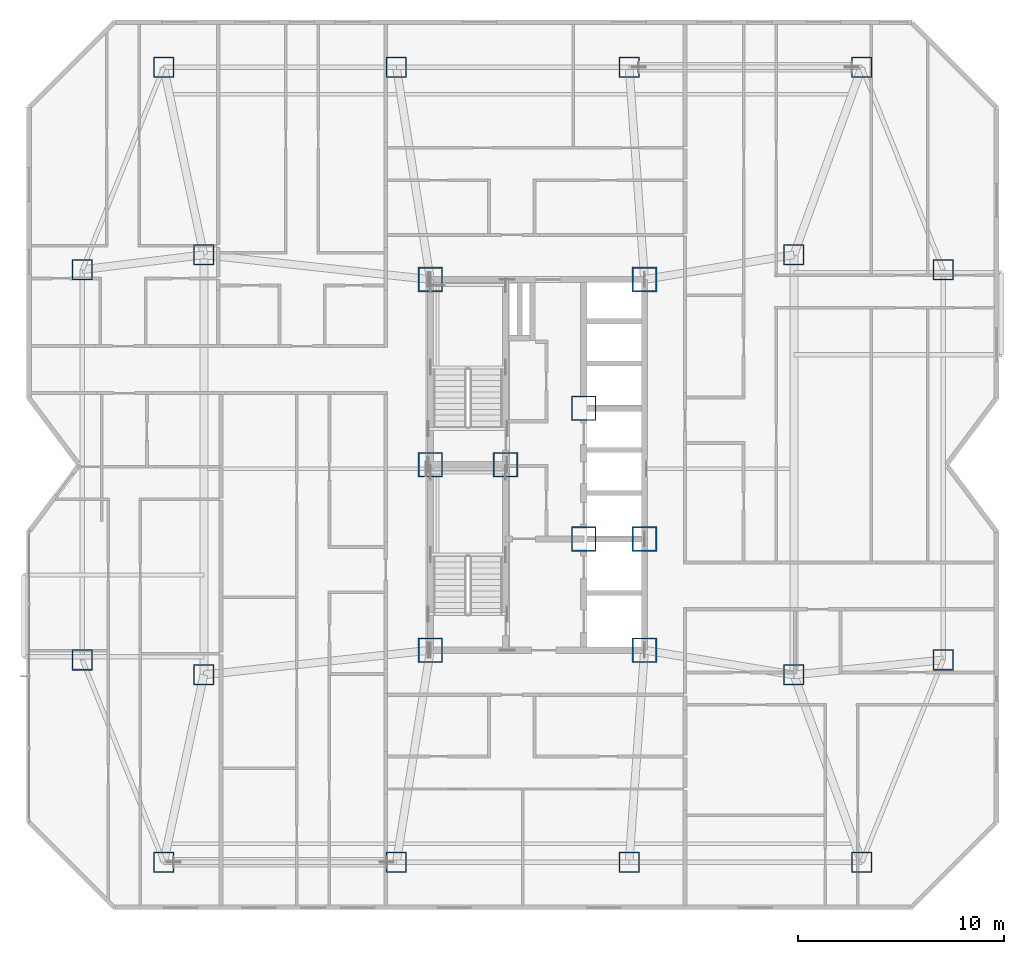
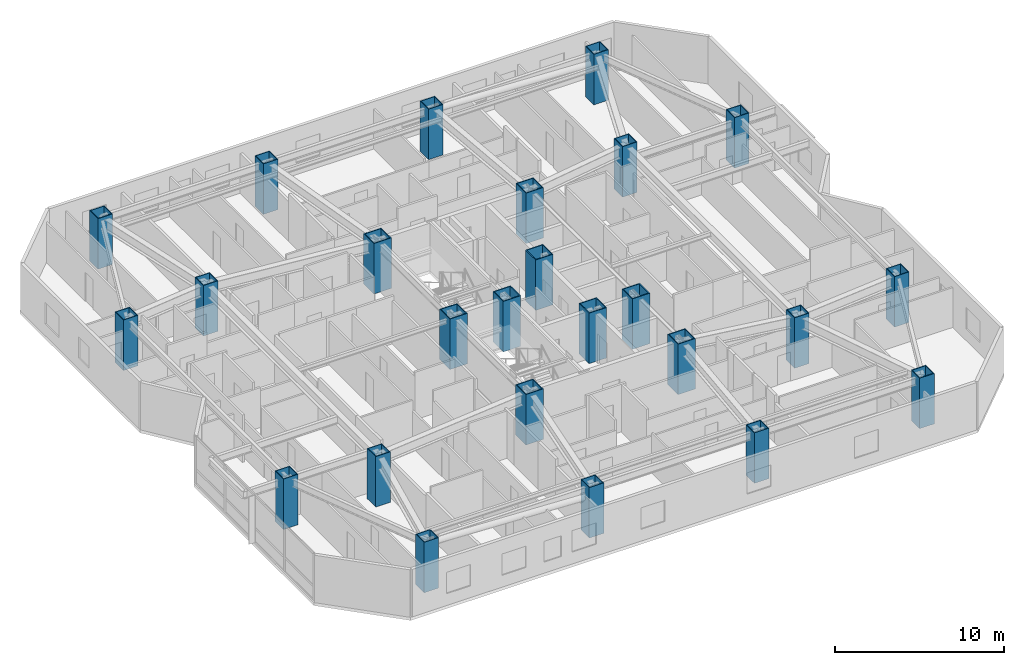
# One storey, part 1 of 18: 25 columns.
"""IFC4 building model written with IfcOpenShell, lengths in metres."""

from ifc_helpers import new_model, si_unit, direction, frame, origin, origin_2d, place, context, subcontext, project, spatial, hollow_rectangle, extrude, material, material_profile, profile_set, type_object, element, save


model = new_model("IFC4")

# Units and contexts
model_context = context("Model", 3, precision=1e-05, world=origin(), true_north=direction((0.0, 1.0)))
body_context = subcontext(model_context, "Body", "Model", "MODEL_VIEW")
ifc_project = project(units=[si_unit("LENGTHUNIT", "METRE"), si_unit("AREAUNIT", "SQUARE_METRE"), si_unit("VOLUMEUNIT", "CUBIC_METRE"), si_unit("PLANEANGLEUNIT", "RADIAN"), si_unit("MASSUNIT", "GRAM", prefix="KILO")], contexts=[model_context])

# Site, building, storey
site_placement = place(None, origin())
site = spatial("IfcSite", under=ifc_project, at=site_placement, CompositionType="ELEMENT")
building_placement = place(site_placement, origin())
building = spatial("IfcBuilding", under=site, at=building_placement, Name="Khamvora Tower", CompositionType="ELEMENT")
storey_placement = place(building_placement, frame((0.0, 0.0, 109.199951171875)))
storey = spatial("IfcBuildingStorey", under=building, at=storey_placement, Name="L27", CompositionType="ELEMENT", Elevation=109.199951171875)

# Columns
ifc_material_1 = material(Name="Steel S355", Category="steel")
ifc_material_profile_1 = material_profile(ifc_material_1, hollow_rectangle(XDim=1.0, YDim=1.0, WallThickness=0.050048828125, at=origin_2d()), Name="BOX1000x1000x50")
ifc_profile_set_1 = profile_set([ifc_material_profile_1], Name="Steel S355")
column_type_1 = type_object("IfcColumnType", Name="COL-BOX1000", PredefinedType="COLUMN", material=ifc_profile_set_1)
for number, where, z_axis, x_axis, name in (
    (1, (16.050048828125, 8.699951171875, 0.0), (0.0, 0.0, 1.0), (1.0, 0.0, 0.0), "L27 structural frame column S1"),
    (2, (27.35009765625, 8.699951171875, 0.0), (0.0, 0.0, 1.0), (1.0, 0.0, 0.0), "L27 structural frame column S2"),
    (3, (38.64990234375, 8.699951171875, 0.0), (0.0, 0.0, 1.0), (1.0, 0.0, 0.0), "L27 structural frame column S3"),
    (4, (49.949951171875, 8.699951171875, 0.0), (0.0, 0.0, 1.0), (1.0, 0.0, 0.0), "L27 structural frame column S4"),
    (5, (16.050048828125, 47.300048828125, 0.0), (0.0, 0.0, 1.0), (1.0, 0.0, 0.0), "L27 structural frame column N1"),
    (6, (27.35009765625, 47.300048828125, 0.0), (0.0, 0.0, 1.0), (1.0, 0.0, 0.0), "L27 structural frame column N2"),
    (7, (38.64990234375, 47.300048828125, 0.0), (0.0, 0.0, 1.0), (1.0, 0.0, 0.0), "L27 structural frame column N3"),
    (8, (49.949951171875, 47.300048828125, 0.0), (0.0, 0.0, 1.0), (1.0, 0.0, 0.0), "L27 structural frame column N4"),
    (9, (12.10009765625, 18.52490234375, 0.0), (0.0, 0.0, 1.0), (1.0, 0.0, 0.0), "L27 structural frame column W1"),
    (10, (12.10009765625, 37.47509765625, 0.0), (0.0, 0.0, 1.0), (1.0, 0.0, 0.0), "L27 structural frame column W2"),
    (11, (53.89990234375, 18.52490234375, 0.0), (0.0, 0.0, 1.0), (1.0, 0.0, 0.0), "L27 structural frame column E1"),
    (12, (53.89990234375, 37.47509765625, 0.0), (0.0, 0.0, 1.0), (1.0, 0.0, 0.0), "L27 structural frame column E2"),
    (13, (18.0, 17.800048828125, 0.0), (0.0, 0.0, 1.0), (1.0, 0.0, 0.0), "L27 structural frame column MW1"),
    (14, (18.0, 38.199951171875, 0.0), (0.0, 0.0, 1.0), (1.0, 0.0, 0.0), "L27 structural frame column MW2"),
    (15, (46.64990234375, 17.800048828125, 0.0), (0.0, 0.0, 1.0), (1.0, 0.0, 0.0), "L27 structural frame column M1"),
    (16, (46.64990234375, 38.199951171875, 0.0), (0.0, 0.0, 1.0), (1.0, 0.0, 0.0), "L27 structural frame column M2"),
):
    element("IfcColumn", number, at=place(storey_placement, frame(where, z_axis=z_axis, x_axis=x_axis)), inside=storey, type_object=column_type_1, Name=name, PredefinedType="COLUMN", context=body_context, shape_type="SweptSolid", body=[
        extrude(hollow_rectangle(XDim=1.0, YDim=1.0, WallThickness=0.050048828125, at=origin_2d()), origin(), (0.0, 0.0, 1.0), 3.650146484375),
    ])
ifc_material_2 = material(Name="Steel S460", Category="steel")
ifc_material_profile_2 = material_profile(ifc_material_2, hollow_rectangle(XDim=1.199951171875, YDim=1.199951171875, WallThickness=0.06005859375, at=origin_2d()), Name="BOX1200x1200x60")
ifc_profile_set_2 = profile_set([ifc_material_profile_2], Name="Steel S460")
column_type_2 = type_object("IfcColumnType", Name="COL-BOX1200", PredefinedType="COLUMN", material=ifc_profile_set_2)
for number, where, z_axis, x_axis, name in (
    (17, (29.0, 19.0, 0.0), (0.0, 0.0, 1.0), (1.0, 0.0, 0.0), "L27 plumb core spine column SC1"),
    (18, (32.64990234375, 28.0, 0.0), (0.0, 0.0, 1.0), (1.0, 0.0, 0.0), "L27 plumb core spine column SC2"),
    (19, (39.39990234375, 19.0, 0.0), (0.0, 0.0, 1.0), (1.0, 0.0, 0.0), "L27 plumb core spine column SC3"),
    (20, (29.0, 28.0, 0.0), (0.0, 0.0, 1.0), (1.0, 0.0, 0.0), "L27 plumb core spine column SC4"),
    (21, (36.449951171875, 24.39990234375, 0.0), (0.0, 0.0, 1.0), (1.0, 0.0, 0.0), "L27 plumb core spine column SC5"),
    (22, (39.39990234375, 24.39990234375, 0.0), (0.0, 0.0, 1.0), (1.0, 0.0, 0.0), "L27 plumb core spine column SC6"),
    (23, (29.0, 37.0, 0.0), (0.0, 0.0, 1.0), (1.0, 0.0, 0.0), "L27 plumb core spine column SC7"),
    (24, (36.449951171875, 30.75, 0.0), (0.0, 0.0, 1.0), (1.0, 0.0, 0.0), "L27 plumb core spine column SC8"),
    (25, (39.39990234375, 37.0, 0.0), (0.0, 0.0, 1.0), (1.0, 0.0, 0.0), "L27 plumb core spine column SC9"),
):
    element("IfcColumn", number, at=place(storey_placement, frame(where, z_axis=z_axis, x_axis=x_axis)), inside=storey, type_object=column_type_2, Name=name, PredefinedType="COLUMN", context=body_context, shape_type="SweptSolid", body=[
        extrude(hollow_rectangle(XDim=1.199951171875, YDim=1.199951171875, WallThickness=0.06005859375, at=origin_2d()), origin(), (0.0, 0.0, 1.0), 3.650146484375),
    ])

save(model, "model.ifc")
